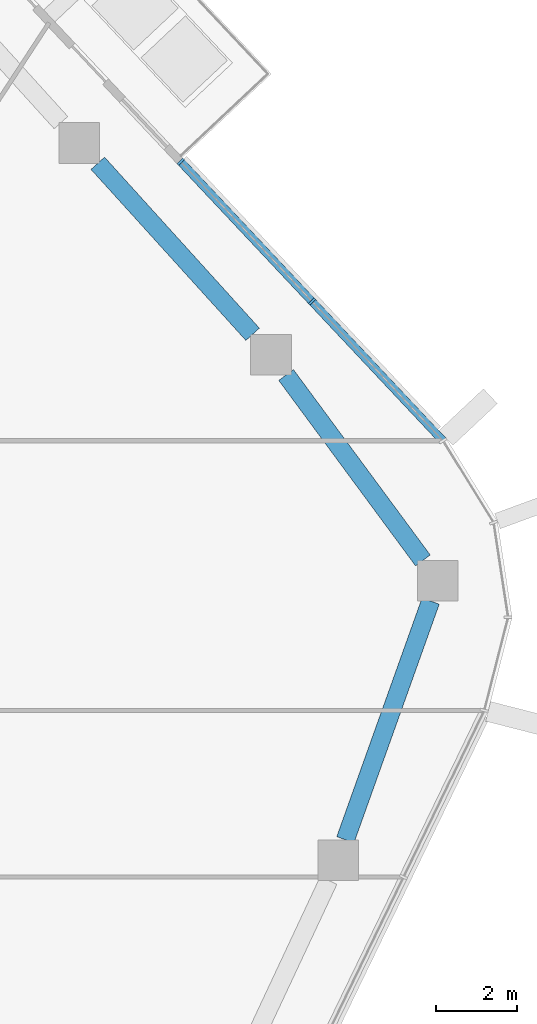
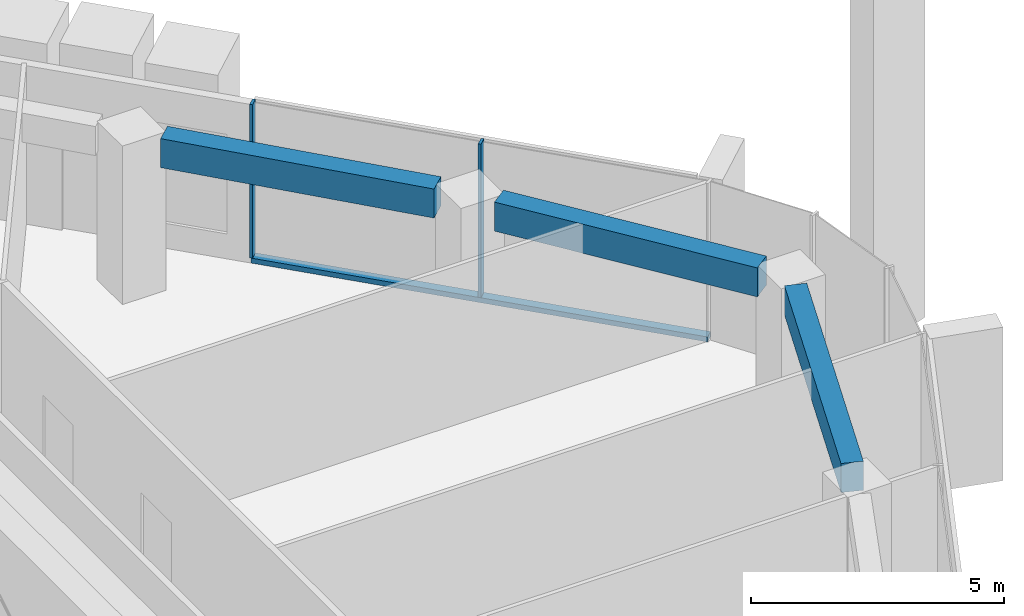
# One storey, part 8 of 24: 3 beams, 3 members, 1 element without a shape of its own.
"""IFC4 building model written with IfcOpenShell, lengths in metres."""

from ifc_helpers import new_model, si_unit, direction, frame, origin, origin_2d, place, context, subcontext, project, spatial, rectangle, extrude, material, layer, layer_set, material_profile, profile_set, type_object, element, aggregate, save


model = new_model("IFC4")

# Units and contexts
model_context = context("Model", 3, precision=1e-05, world=origin(), true_north=direction((0.0, 1.0)))
body_context = subcontext(model_context, "Body", "Model", "MODEL_VIEW")
ifc_project = project(units=[si_unit("LENGTHUNIT", "METRE"), si_unit("AREAUNIT", "SQUARE_METRE"), si_unit("VOLUMEUNIT", "CUBIC_METRE"), si_unit("PLANEANGLEUNIT", "RADIAN"), si_unit("MASSUNIT", "GRAM", prefix="KILO")], contexts=[model_context])

# Site, building, storey
site_placement = place(None, origin())
site = spatial("IfcSite", under=ifc_project, at=site_placement, CompositionType="ELEMENT")
building_placement = place(site_placement, origin())
building = spatial("IfcBuilding", under=site, at=building_placement, Name="Dongbaek Canopy Tower", CompositionType="ELEMENT")
storey_placement = place(building_placement, frame((0.0, 0.0, 294.199951171875)))
storey = spatial("IfcBuildingStorey", under=building, at=storey_placement, Name="L62", CompositionType="ELEMENT", Elevation=294.199951171875)

# Curtain wall, members
ifc_material_1 = material(Name="Aluminium 6063-T6 pale anodised", Category="aluminium")
ifc_layer = layer(ifc_material_1, 0.199951171875)
ifc_layer_set = layer_set([ifc_layer], Name="CW-1 unitised tower curtain wall")
curtain_wall_type = type_object("IfcCurtainWallType", Name="CW-1 unitised tower curtain wall", PredefinedType="NOTDEFINED", material=ifc_layer_set)
curtain_wall_placement = place(storey_placement, origin())
curtain_wall = element("IfcCurtainWall", 1, at=curtain_wall_placement, inside=storey, type_object=curtain_wall_type, Name="CW-1 curtain wall F0.1", PredefinedType="NOTDEFINED")
ifc_material_2 = material(Name="Aluminium 6063-T6 pale anodised", Category="aluminium")
ifc_material_profile_1 = material_profile(ifc_material_2, rectangle(XDim=0.199951171875, YDim=0.06005859375, at=origin_2d()), Name="CW-1 mullion 60 x 200")
ifc_profile_set_1 = profile_set([ifc_material_profile_1], Name="Aluminium 6063-T6 pale anodised")
member_type_1 = type_object("IfcMemberType", Name="CW-1 mullion 60 x 200", PredefinedType="MULLION", material=ifc_profile_set_1)
member_1_placement = place(storey_placement, frame((27.709716796875, 13.56640625, 0.1201171875), z_axis=(0.0, 0.0, 1.0), x_axis=(0.728702280393, 0.684830626177, 0.0)))
member_1 = element("IfcMember", 2, at=member_1_placement, type_object=member_type_1, Name="CW-1 mullion F0.1.2", PredefinedType="MULLION", context=body_context, shape_type="SweptSolid", body=[
    extrude(rectangle(XDim=0.199951171875, YDim=0.06005859375, at=origin_2d()), origin(), (0.0, 0.0, 1.0), 3.699951171875),
])
member_2_placement = place(storey_placement, frame((24.482421875, 17.000244140625, 0.1201171875), z_axis=(0.0, 0.0, 1.0), x_axis=(0.728702280393, 0.684830626177, 0.0)))
member_2 = element("IfcMember", 3, at=member_2_placement, type_object=member_type_1, Name="CW-1 mullion F0.1.3", PredefinedType="MULLION", context=body_context, shape_type="SweptSolid", body=[
    extrude(rectangle(XDim=0.199951171875, YDim=0.06005859375, at=origin_2d()), origin(), (0.0, 0.0, 1.0), 3.699951171875),
])
ifc_material_3 = material(Name="Aluminium 6063-T6 pale anodised", Category="aluminium")
ifc_material_profile_2 = material_profile(ifc_material_3, rectangle(XDim=0.199951171875, YDim=0.1201171875, at=origin_2d()), Name="CW-1 transom 120 x 200")
ifc_profile_set_2 = profile_set([ifc_material_profile_2], Name="Aluminium 6063-T6 pale anodised")
member_type_2 = type_object("IfcMemberType", Name="CW-1 transom 120 x 200", PredefinedType="USERDEFINED", material=ifc_profile_set_2)
member_3_placement = place(storey_placement, frame((30.93017578125, 10.1396484375, 0.06005859375), z_axis=(-0.684841997746, 0.728691593285, 0.0), x_axis=(-0.728691593285, -0.684841997746, 0.0)))
member_3 = element("IfcMember", 4, at=member_3_placement, type_object=member_type_2, Name="CW-1 transom F0.1.1", ObjectType="TRANSOM", PredefinedType="USERDEFINED", context=body_context, shape_type="SweptSolid", body=[
    extrude(rectangle(XDim=0.199951171875, YDim=0.1201171875, at=origin_2d()), origin(), (0.0, 0.0, 1.0), 9.4150390625),
])
aggregate(curtain_wall, [member_1, member_2, member_3])

# Beams
ifc_material_4 = material(Name="Concrete C60", Category="concrete")
ifc_material_profile_3 = material_profile(ifc_material_4, rectangle(XDim=0.449951171875, YDim=0.699951171875, at=origin_2d()), Name="RC EDGE BEAM 450x700 C60")
ifc_profile_set_3 = profile_set([ifc_material_profile_3], Name="Concrete C60")
beam_type = type_object("IfcBeamType", Name="RC EDGE BEAM 450x700 C60", PredefinedType="BEAM", material=ifc_profile_set_3)
beam_1_placement = place(storey_placement, frame((22.442626953125, 16.9619140625, 3.469970703125), z_axis=(0.671227680473, -0.741251240112, 0.0), x_axis=(0.741251240112, 0.671227680473, 0.0)))
element("IfcBeam", 5, at=beam_1_placement, inside=storey, type_object=beam_type, Name="EDGEBEAM:L62:19", PredefinedType="BEAM", context=body_context, shape_type="SweptSolid", body=[
    extrude(rectangle(XDim=0.449951171875, YDim=0.699951171875, at=origin_2d()), origin(), (0.0, 0.0, 1.0), 5.672607421875),
])
beam_2_placement = place(storey_placement, frame((27.072021484375, 11.757080078125, 3.469970703125), z_axis=(0.593735402363, -0.804660345724, 0.0), x_axis=(0.804660345724, 0.593735402363, 0.0)))
element("IfcBeam", 6, at=beam_2_placement, inside=storey, type_object=beam_type, Name="EDGEBEAM:L62:20", PredefinedType="BEAM", context=body_context, shape_type="SweptSolid", body=[
    extrude(rectangle(XDim=0.449951171875, YDim=0.699951171875, at=origin_2d()), origin(), (0.0, 0.0, 1.0), 5.665771484375),
])
beam_3_placement = place(storey_placement, frame((30.626220703125, 6.197998046875, 3.469970703125), z_axis=(-0.336443121865, -0.941703788752, 0.0), x_axis=(0.941703788752, -0.336443121865, 0.0)))
element("IfcBeam", 7, at=beam_3_placement, inside=storey, type_object=beam_type, Name="EDGEBEAM:L62:21", PredefinedType="BEAM", context=body_context, shape_type="SweptSolid", body=[
    extrude(rectangle(XDim=0.449951171875, YDim=0.699951171875, at=origin_2d()), origin(), (0.0, 0.0, 1.0), 6.231201171875),
])

save(model, "model.ifc")
